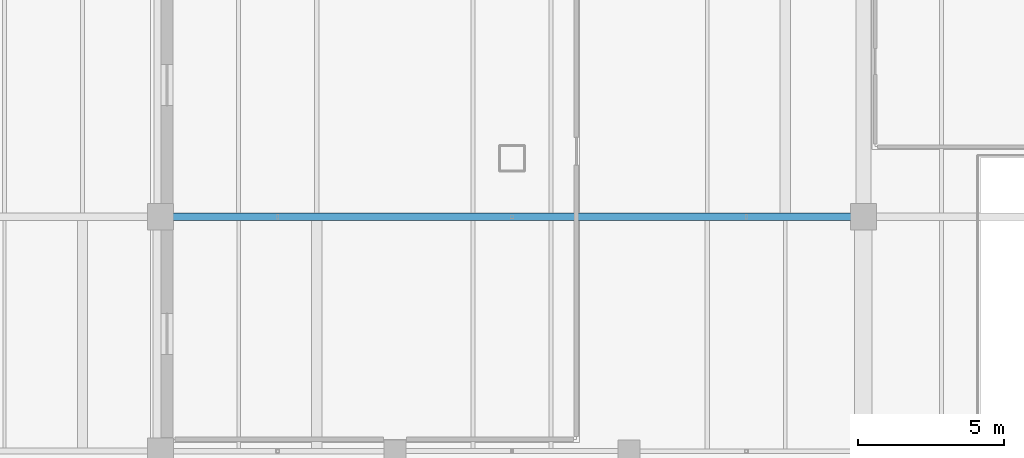
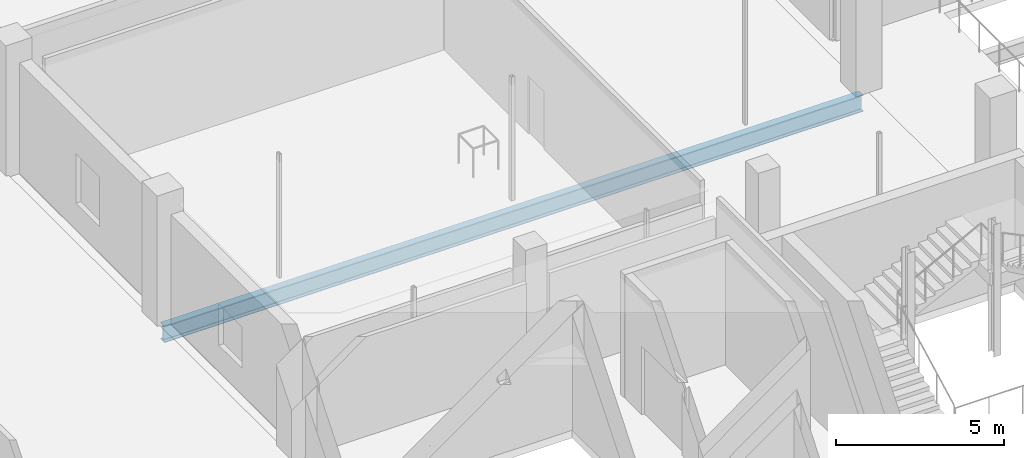
# One storey, part 17 of 127: 1 beam.
"""IFC4 building model written with IfcOpenShell, lengths in metres."""

from ifc_helpers import new_model, si_unit, derived_unit, direction, frame, origin, origin_2d, place, context, subcontext, project, spatial, i_section, extrude, material, material_profile, profile_set, type_object, element, save


model = new_model("IFC4")

# Units and contexts
model_context = context("Model", 3, precision=1e-05, world=origin(), true_north=direction((0.0, 1.0)))
body_context = subcontext(model_context, "Body", "Model", "MODEL_VIEW")
ifc_project = project(units=[si_unit("LENGTHUNIT", "METRE"), si_unit("AREAUNIT", "SQUARE_METRE"), si_unit("VOLUMEUNIT", "CUBIC_METRE"), si_unit("PLANEANGLEUNIT", "RADIAN"), si_unit("MASSUNIT", "GRAM", prefix="KILO"), derived_unit("THERMALTRANSMITTANCEUNIT", [(si_unit("POWERUNIT", "WATT"), 1), (si_unit("LENGTHUNIT", "METRE"), -2), (si_unit("THERMODYNAMICTEMPERATUREUNIT", "KELVIN"), -1)])], contexts=[model_context])

# Site, building, storey
site_placement = place(None, origin())
site = spatial("IfcSite", under=ifc_project, at=site_placement, CompositionType="ELEMENT")
building_placement = place(site_placement, origin())
building = spatial("IfcBuilding", under=site, at=building_placement, Name="Nallur Shell Playhouse", CompositionType="ELEMENT")
storey_placement = place(building_placement, frame((0.0, 0.0, 5.39990234375)))
storey = spatial("IfcBuildingStorey", under=building, at=storey_placement, Name="L02", CompositionType="ELEMENT", Elevation=5.39990234375)

# Beam
ifc_material = material(Name="Steel E350", Category="steel")
ifc_material_profile = material_profile(ifc_material, i_section(OverallWidth=0.25, OverallDepth=0.60009765625, WebThickness=0.01171875, FlangeThickness=0.023681640625, FilletRadius=0.01708984375, at=origin_2d()), Name="ISWB 600")
ifc_profile_set = profile_set([ifc_material_profile], Name="Steel E350")
beam_type = type_object("IfcBeamType", Name="BM-ST-ISWB600", PredefinedType="BEAM", material=ifc_profile_set)
beam_placement = place(storey_placement, frame((16.0, 32.0, -0.579833984375), z_axis=(1.0, 0.0, 0.0), x_axis=(0.0, 1.0, 0.0)))
element("IfcBeam", 1, at=beam_placement, inside=storey, type_object=beam_type, Name="L02 long-span hall girder Y=32.0-468", PredefinedType="BEAM", context=body_context, shape_type="SweptSolid", body=[
    extrude(i_section(OverallWidth=0.25, OverallDepth=0.60009765625, WebThickness=0.01171875, FlangeThickness=0.023681640625, FilletRadius=0.01708984375, at=origin_2d()), origin(), (0.0, 0.0, 1.0), 24.0),
])

save(model, "model.ifc")
